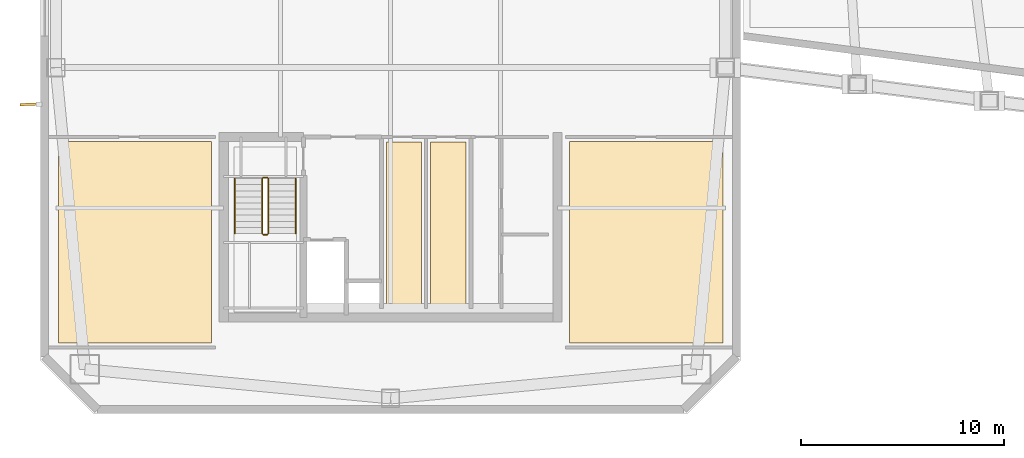
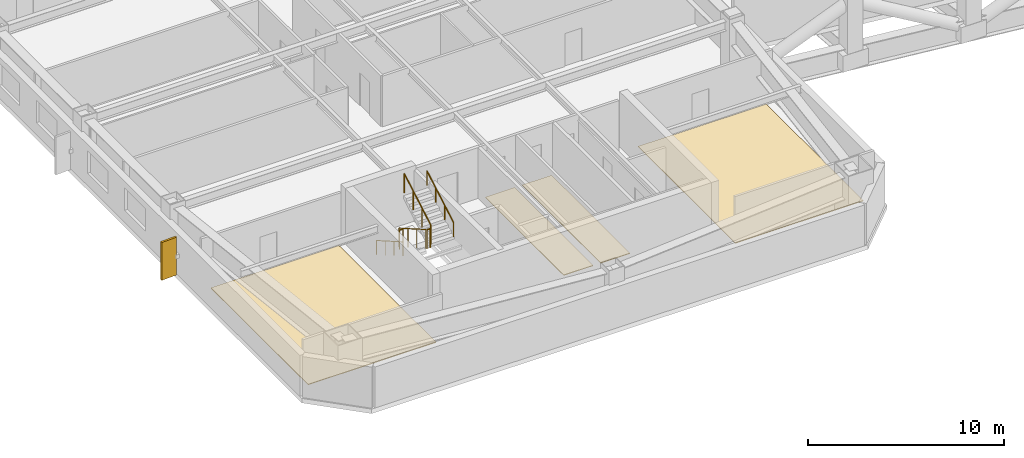
# One storey, part 14 of 19: 6 railings, 4 coverings, 1 shading device.
"""IFC4 building model written with IfcOpenShell, lengths in metres."""

import ifcopenshell
import ifcopenshell.guid

model = None  # the IFC model being written
_history = None  # IfcOwnerHistory: only IFC2X3 demands one
_inside = {}  # id of a spatial element -> (the spatial element, [elements in it])
_under = {}  # id of a project, library or spatial element -> (it, [spatial elements below it])
_declared = {}  # id of a project -> (the project, [libraries it declares])
_typed = {}  # id of a type object -> (the type object, [elements of that type])
_made_of = {}  # id of a material, layer set ... -> (it, [elements and type objects made of it])


def new_model(schema):
    """Start an empty IFC model of exactly this schema.

    Asked for "IFC4X3", IfcOpenShell would pick the latest addendum, in which some entities
    have other attributes; the version numbers below select the first issue.
    IFC2X3 requires an IfcOwnerHistory on every rooted entity: one is made here for all.
    """
    global model, _history
    if schema == "IFC4X3":
        model = ifcopenshell.file(schema_version=(4, 3, 0, 0))
    else:
        model = ifcopenshell.file(schema=schema)
    _inside.clear()
    _under.clear()
    _declared.clear()
    _typed.clear()
    _made_of.clear()
    _history = None
    if model.schema == "IFC2X3":
        org = make("IfcOrganization", Name="unknown")
        user = make(
            "IfcPersonAndOrganization",
            ThePerson=make("IfcPerson", FamilyName="unknown"),
            TheOrganization=org,
        )
        app = make(
            "IfcApplication",
            ApplicationDeveloper=org,
            Version="unknown",
            ApplicationFullName="unknown",
            ApplicationIdentifier="unknown",
        )
        _history = make(
            "IfcOwnerHistory",
            OwningUser=user,
            OwningApplication=app,
            ChangeAction="ADDED",
            CreationDate=0,
        )
    return model


def make(cls, **values):
    """One entity of the class cls with the attributes given. An attribute that is None is left unset."""
    return model.create_entity(
        cls, **{name: value for name, value in values.items() if value is not None}
    )


def rooted(cls, **values):
    """An entity with a GlobalId (a new one), such as an element, a storey or a relation."""
    return make(cls, GlobalId=ifcopenshell.guid.new(), OwnerHistory=_history, **values)


def si_unit(unit_type, name, prefix=None):
    """IfcSIUnit, for example si_unit("LENGTHUNIT", "METRE", prefix="MILLI")."""
    return make("IfcSIUnit", UnitType=unit_type, Prefix=prefix, Name=name)


def assignment(units):
    """IfcUnitAssignment: the units of a project."""
    return None if units is None else make("IfcUnitAssignment", Units=units)


def point(xyz):
    """IfcCartesianPoint."""
    return None if xyz is None else make("IfcCartesianPoint", Coordinates=xyz)


def direction(xyz):
    """IfcDirection."""
    return None if xyz is None else make("IfcDirection", DirectionRatios=xyz)


def frame(location, z_axis=None, x_axis=None):
    """IfcAxis2Placement3D, a coordinate frame: its origin and axes. An axis left out is left unset."""
    return make(
        "IfcAxis2Placement3D",
        Location=point(location),
        Axis=direction(z_axis),
        RefDirection=direction(x_axis),
    )


def frame_2d(location, x_axis=None):
    """IfcAxis2Placement2D, a coordinate frame in the plane: its origin and x axis."""
    return make(
        "IfcAxis2Placement2D", Location=point(location), RefDirection=direction(x_axis)
    )


def origin():
    """The frame at (0, 0, 0) with its axes left unset."""
    return frame((0.0, 0.0, 0.0))


def origin_2d():
    """The frame at (0, 0) in the plane with its x axis left unset."""
    return frame_2d((0.0, 0.0))


def place(relative_to, where):
    """IfcLocalPlacement: puts the frame where relative to a parent placement (None: the world)."""
    return make(
        "IfcLocalPlacement", PlacementRelTo=relative_to, RelativePlacement=where
    )


def context(
    kind, dimensions, precision=None, world=None, true_north=None, identifier=None
):
    """IfcGeometricRepresentationContext, for example the 3D "Model" context."""
    return make(
        "IfcGeometricRepresentationContext",
        ContextIdentifier=identifier,
        ContextType=kind,
        CoordinateSpaceDimension=dimensions,
        Precision=precision,
        WorldCoordinateSystem=world,
        TrueNorth=true_north,
    )


def subcontext(parent, identifier, kind, view, scale=None):
    """IfcGeometricRepresentationSubContext, for example "Body" below "Model"."""
    return make(
        "IfcGeometricRepresentationSubContext",
        ContextIdentifier=identifier,
        ContextType=kind,
        ParentContext=parent,
        TargetScale=scale,
        TargetView=view,
    )


def project(units=None, contexts=None):
    """IfcProject with its units and contexts."""
    return rooted(
        "IfcProject",
        Name="project",
        RepresentationContexts=contexts,
        UnitsInContext=assignment(units),
    )


def spatial(cls, under=None, at=None, **own):
    """A site, building, storey or space (cls), placed at a placement, below another one or the project."""
    s = rooted(cls, ObjectPlacement=at, **own)
    if under is not None:
        _under.setdefault(under.id(), (under, []))[1].append(s)
    return s


def polyline(points):
    """IfcPolyline through the points."""
    return make("IfcPolyline", Points=[point(p) for p in points])


def profile(cls, at=None, kind="AREA", **sizes):
    """A parametric profile (cls). Its sizes go by their IFC names, for example OverallWidth=200.0."""
    return make(cls, ProfileType=kind, Position=at, **sizes)


def rectangle(**sizes):
    """IfcRectangleProfileDef."""
    return profile("IfcRectangleProfileDef", **sizes)


def circle(**sizes):
    """IfcCircleProfileDef."""
    return profile("IfcCircleProfileDef", **sizes)


def outline(outer, holes=None, kind="AREA"):
    """IfcArbitraryClosedProfileDef: a profile drawn as a closed curve; with holes, ...WithVoids."""
    if holes is None:
        return make("IfcArbitraryClosedProfileDef", ProfileType=kind, OuterCurve=outer)
    return make(
        "IfcArbitraryProfileDefWithVoids",
        ProfileType=kind,
        OuterCurve=outer,
        InnerCurves=holes,
    )


def extrude(swept, where, along, depth):
    """IfcExtrudedAreaSolid: the profile swept, set in the frame where, extruded along a direction by depth."""
    return make(
        "IfcExtrudedAreaSolid",
        SweptArea=swept,
        Position=where,
        ExtrudedDirection=direction(along),
        Depth=depth,
    )


def shape(context_of_items, identifier, shape_type, items):
    """IfcShapeRepresentation: the items that make up one representation, for example the "Body"."""
    return make(
        "IfcShapeRepresentation",
        ContextOfItems=context_of_items,
        RepresentationIdentifier=identifier,
        RepresentationType=shape_type,
        Items=items,
    )


def material(Name=None, Category=None):
    """IfcMaterial."""
    return make("IfcMaterial", Name=Name, Category=Category)


def layer(
    of_material, thickness, ventilated=None, Name=None, Category=None, Priority=None
):
    """IfcMaterialLayer: one layer of a wall or slab, of a material (None: an air gap)."""
    return make(
        "IfcMaterialLayer",
        Material=of_material,
        LayerThickness=thickness,
        IsVentilated=ventilated,
        Name=Name,
        Category=Category,
        Priority=Priority,
    )


def layer_set(layers, Name=None):
    """IfcMaterialLayerSet."""
    return make("IfcMaterialLayerSet", MaterialLayers=layers, LayerSetName=Name)


def made_of(thing, what):
    """Note that an element or type object is made of a material, layer set ...; save() writes the relation."""
    if what is not None:
        _made_of.setdefault(what.id(), (what, []))[1].append(thing)
    return thing


def type_object(cls, material=None, **own):
    """A type object (cls), such as IfcWallType, which elements share."""
    return made_of(rooted(cls, **own), material)


def element(
    cls,
    number,
    at=None,
    inside=None,
    cuts=None,
    type_object=None,
    material=None,
    context=None,
    identifier="Body",
    shape_type=None,
    held_by="IfcProductDefinitionShape",
    body=None,
    shapes=None,
    **own,
):
    """One element of the class cls, such as IfcWall. Its Tag is "e" and its number.

    at: its placement. inside: the storey or other place that contains it. cuts: it is an
    opening in that element (IfcRelVoidsElement). A single representation is given by context,
    identifier, shape_type and body (its items); several are given by shapes. held_by: the class
    of the entity that holds the representations. save() writes the other relations.
    """
    e = rooted(cls, Tag="e%d" % number, ObjectPlacement=at, **own)
    if body is not None:
        shapes = [shape(context, identifier, shape_type, body)]
    if shapes is not None:
        e.Representation = make(held_by, Representations=shapes)
    if inside is not None:
        _inside.setdefault(inside.id(), (inside, []))[1].append(e)
    if cuts is not None:
        rooted(
            "IfcRelVoidsElement", RelatingBuildingElement=cuts, RelatedOpeningElement=e
        )
    if type_object is not None:
        _typed.setdefault(type_object.id(), (type_object, []))[1].append(e)
    return made_of(e, material)


def aggregate(whole, parts):
    """IfcRelAggregates: a whole, such as a stair, and the parts it consists of."""
    return rooted("IfcRelAggregates", RelatingObject=whole, RelatedObjects=parts)


def save(model, path):
    """Write the relations noted so far, then the file.

    IfcRelAggregates (storeys below a building ...), IfcRelContainedInSpatialStructure (elements
    in a storey), IfcRelDefinesByType, IfcRelAssociatesMaterial and IfcRelDeclares: one each for
    every whole, place, type object, material and project.
    """
    for whole, parts in _under.values():
        aggregate(whole, parts)
    for where, things in _inside.values():
        rooted(
            "IfcRelContainedInSpatialStructure",
            RelatedElements=things,
            RelatingStructure=where,
        )
    for kind, things in _typed.values():
        rooted("IfcRelDefinesByType", RelatedObjects=things, RelatingType=kind)
    for what, things in _made_of.values():
        rooted("IfcRelAssociatesMaterial", RelatedObjects=things, RelatingMaterial=what)
    for by, libraries in _declared.values():
        rooted("IfcRelDeclares", RelatingContext=by, RelatedDefinitions=libraries)
    model.write(path)


model = new_model("IFC4")

# Units and contexts
model_context = context("Model", 3, precision=1e-05, world=origin(), true_north=direction((0.0, 1.0)))
body_context = subcontext(model_context, "Body", "Model", "MODEL_VIEW")
ifc_project = project(units=[si_unit("LENGTHUNIT", "METRE"), si_unit("AREAUNIT", "SQUARE_METRE"), si_unit("VOLUMEUNIT", "CUBIC_METRE"), si_unit("PLANEANGLEUNIT", "RADIAN"), si_unit("MASSUNIT", "GRAM", prefix="KILO")], contexts=[model_context])

# Site, building, storey
site_placement = place(None, origin())
site = spatial("IfcSite", under=ifc_project, at=site_placement, CompositionType="ELEMENT")
building_placement = place(site_placement, origin())
building = spatial("IfcBuilding", under=site, at=building_placement, Name="Qiaolan Cultural Towers", CompositionType="ELEMENT")
storey_placement = place(building_placement, frame((0.0, 0.0, 216.199951171875)))
storey = spatial("IfcBuildingStorey", under=building, at=storey_placement, Name="L58", CompositionType="ELEMENT", Elevation=216.199951171875)

# Coverings
ifc_material_1 = material(Name="Honed Terrazzo & Raised Access Flooring", Category="concrete")
ifc_layer_1 = layer(ifc_material_1, 0.0400390625)
ifc_layer_set_1 = layer_set([ifc_layer_1], Name="Honed Terrazzo & Raised Access Flooring")
covering_type = type_object("IfcCoveringType", Name="COV-FLR-STONE", PredefinedType="FLOORING", material=ifc_layer_set_1)
covering_1_placement = place(storey_placement, origin())
element("IfcCovering", 1, at=covering_1_placement, inside=storey, type_object=covering_type, Name="L58 Document Print and Copy Room Finish Flooring", PredefinedType="FLOORING", context=body_context, shape_type="SweptSolid", body=[
    extrude(outline(polyline([(31.530029296875, 13.3701171875), (31.530029296875, 21.360107421875), (29.800048828125, 21.360107421875), (29.800048828125, 13.3701171875), (31.530029296875, 13.3701171875)])), origin(), (0.0, 0.0, 1.0), 0.0400390625),
])
covering_2_placement = place(storey_placement, origin())
element("IfcCovering", 2, at=covering_2_placement, inside=storey, type_object=covering_type, Name="L58 Staff Tea Pantry Finish Flooring", PredefinedType="FLOORING", context=body_context, shape_type="SweptSolid", body=[
    extrude(outline(polyline([(33.699951171875, 13.3701171875), (33.699951171875, 21.360107421875), (31.969970703125, 21.360107421875), (31.969970703125, 13.3701171875), (33.699951171875, 13.3701171875)])), origin(), (0.0, 0.0, 1.0), 0.0400390625),
])
covering_3_placement = place(storey_placement, origin())
element("IfcCovering", 3, at=covering_3_placement, inside=storey, type_object=covering_type, Name="L58 Corner Sky Park Cultural Salon Finish Flooring", PredefinedType="FLOORING", context=body_context, shape_type="SweptSolid", body=[
    extrude(outline(polyline([(21.199951171875, 11.469970703125), (21.199951171875, 21.3798828125), (13.669921875, 21.3798828125), (13.669921875, 11.469970703125), (21.199951171875, 11.469970703125)])), origin(), (0.0, 0.0, 1.0), 0.0400390625),
])
covering_4_placement = place(storey_placement, origin())
element("IfcCovering", 4, at=covering_4_placement, inside=storey, type_object=covering_type, Name="L58 Corner Botanical Lounge Finish Flooring", PredefinedType="FLOORING", context=body_context, shape_type="SweptSolid", body=[
    extrude(outline(polyline([(46.330078125, 11.469970703125), (46.330078125, 21.3798828125), (38.800048828125, 21.3798828125), (38.800048828125, 11.469970703125), (46.330078125, 11.469970703125)])), origin(), (0.0, 0.0, 1.0), 0.0400390625),
])

# Railings
ifc_material_2 = material(Name="Galvanized Painted Steel Stair Guardrail", Category="steel")
railing_type_1 = type_object("IfcRailingType", Name="RL-STAIR-GRD", PredefinedType="GUARDRAIL", material=ifc_material_2)
railing_1_placement = place(storey_placement, frame((23.68994140625, 19.550048828125, 0.172607421875)))
element("IfcRailing", 5, at=railing_1_placement, inside=storey, type_object=railing_type_1, Name="L58 ST-W1 stair guard 1", PredefinedType="GUARDRAIL", context=body_context, shape_type="SweptSolid", body=[
    extrude(circle(Radius=0.02392578125, at=origin_2d()), frame((0.0, 0.0, 1.17578125), z_axis=(0.0, -0.866903762492, 0.498475542607), x_axis=(1.0, 0.0, 0.0)), (0.0, 0.0, 1.0), 3.114501953125),
    extrude(circle(Radius=0.02099609375, at=origin_2d()), origin(), (0.0, 0.0, 1.0), 1.15185546875),
    extrude(circle(Radius=0.02099609375, at=origin_2d()), frame((0.0, -0.89990234375, 0.517578125)), (0.0, 0.0, 1.0), 1.15185546875),
    extrude(circle(Radius=0.02099609375, at=origin_2d()), frame((0.0, -1.800048828125, 1.034912109375)), (0.0, 0.0, 1.0), 1.15185546875),
    extrude(circle(Radius=0.02099609375, at=origin_2d()), frame((0.0, -2.699951171875, 1.552490234375)), (0.0, 0.0, 1.0), 1.15185546875),
])
railing_2_placement = place(storey_placement, frame((23.739990234375, 16.800048828125, 1.72509765625)))
element("IfcRailing", 6, at=railing_2_placement, inside=storey, type_object=railing_type_1, Name="L58 ST-W1 stair guard 2", PredefinedType="GUARDRAIL", context=body_context, shape_type="SweptSolid", body=[
    extrude(circle(Radius=0.02392578125, at=origin_2d()), frame((0.0, 0.0, 1.17578125), z_axis=(1.0, 0.0, 0.0), x_axis=(0.0, 1.0, 0.0)), (0.0, 0.0, 1.0), 0.199951171875),
    extrude(circle(Radius=0.02099609375, at=origin_2d()), origin(), (0.0, 0.0, 1.0), 1.15185546875),
    extrude(circle(Radius=0.02099609375, at=origin_2d()), frame((0.199951171875, 0.0, 0.0)), (0.0, 0.0, 1.0), 1.15185546875),
])
railing_3_placement = place(storey_placement, frame((23.989990234375, 16.85009765625, 1.8974609375)))
element("IfcRailing", 7, at=railing_3_placement, inside=storey, type_object=railing_type_1, Name="L58 ST-W1 stair guard 3", PredefinedType="GUARDRAIL", context=body_context, shape_type="SweptSolid", body=[
    extrude(circle(Radius=0.02392578125, at=origin_2d()), frame((0.0, 0.0, 1.17578125), z_axis=(0.0, 0.866903762492, 0.498475542607), x_axis=(-1.0, 0.0, 0.0)), (0.0, 0.0, 1.0), 3.114501953125),
    extrude(circle(Radius=0.02099609375, at=origin_2d()), origin(), (0.0, 0.0, 1.0), 1.15185546875),
    extrude(circle(Radius=0.02099609375, at=origin_2d()), frame((0.0, 0.89990234375, 0.517578125)), (0.0, 0.0, 1.0), 1.15185546875),
    extrude(circle(Radius=0.02099609375, at=origin_2d()), frame((0.0, 1.800048828125, 1.034912109375)), (0.0, 0.0, 1.0), 1.15185546875),
    extrude(circle(Radius=0.02099609375, at=origin_2d()), frame((0.0, 2.699951171875, 1.552490234375)), (0.0, 0.0, 1.0), 1.15185546875),
])
railing_4_placement = place(storey_placement, frame((23.739990234375, 19.60009765625, 0.0)))
element("IfcRailing", 8, at=railing_4_placement, inside=storey, type_object=railing_type_1, Name="L58 ST-W1 stair guard 4", PredefinedType="GUARDRAIL", context=body_context, shape_type="SweptSolid", body=[
    extrude(circle(Radius=0.02392578125, at=origin_2d()), frame((0.0, 0.0, 1.17578125), z_axis=(1.0, 0.0, 0.0), x_axis=(0.0, 1.0, 0.0)), (0.0, 0.0, 1.0), 0.199951171875),
    extrude(circle(Radius=0.02099609375, at=origin_2d()), origin(), (0.0, 0.0, 1.0), 1.15185546875),
    extrude(circle(Radius=0.02099609375, at=origin_2d()), frame((0.199951171875, 0.0, 0.0)), (0.0, 0.0, 1.0), 1.15185546875),
])
ifc_material_3 = material(Name="Stainless Steel S30408 Tubular Handrail", Category="steel")
railing_type_2 = type_object("IfcRailingType", Name="RL-STAIR-HR", PredefinedType="HANDRAIL", material=ifc_material_3)
railing_5_placement = place(storey_placement, frame((22.35009765625, 19.550048828125, 0.172607421875)))
element("IfcRailing", 9, at=railing_5_placement, inside=storey, type_object=railing_type_2, Name="L58 ST-W1 stair handrail 1", PredefinedType="HANDRAIL", context=body_context, shape_type="SweptSolid", body=[
    extrude(circle(Radius=0.02392578125, at=origin_2d()), frame((0.0, 0.0, 0.8759765625), z_axis=(0.0, -0.866903762492, 0.498475542607), x_axis=(1.0, 0.0, 0.0)), (0.0, 0.0, 1.0), 3.114501953125),
    extrude(circle(Radius=0.02099609375, at=origin_2d()), origin(), (0.0, 0.0, 1.0), 0.851806640625),
    extrude(circle(Radius=0.02099609375, at=origin_2d()), frame((0.0, -0.89990234375, 0.517578125)), (0.0, 0.0, 1.0), 0.851806640625),
    extrude(circle(Radius=0.02099609375, at=origin_2d()), frame((0.0, -1.800048828125, 1.034912109375)), (0.0, 0.0, 1.0), 0.851806640625),
    extrude(circle(Radius=0.02099609375, at=origin_2d()), frame((0.0, -2.699951171875, 1.552490234375)), (0.0, 0.0, 1.0), 0.851806640625),
])
railing_6_placement = place(storey_placement, frame((25.330078125, 16.85009765625, 1.8974609375)))
element("IfcRailing", 10, at=railing_6_placement, inside=storey, type_object=railing_type_2, Name="L58 ST-W1 stair handrail 2", PredefinedType="HANDRAIL", context=body_context, shape_type="SweptSolid", body=[
    extrude(circle(Radius=0.02392578125, at=origin_2d()), frame((0.0, 0.0, 0.8759765625), z_axis=(0.0, 0.866903762492, 0.498475542607), x_axis=(-1.0, 0.0, 0.0)), (0.0, 0.0, 1.0), 3.114501953125),
    extrude(circle(Radius=0.02099609375, at=origin_2d()), origin(), (0.0, 0.0, 1.0), 0.851806640625),
    extrude(circle(Radius=0.02099609375, at=origin_2d()), frame((0.0, 0.89990234375, 0.517578125)), (0.0, 0.0, 1.0), 0.851806640625),
    extrude(circle(Radius=0.02099609375, at=origin_2d()), frame((0.0, 1.800048828125, 1.034912109375)), (0.0, 0.0, 1.0), 0.851806640625),
    extrude(circle(Radius=0.02099609375, at=origin_2d()), frame((0.0, 2.699951171875, 1.552490234375)), (0.0, 0.0, 1.0), 0.851806640625),
])

# Shading device
ifc_material_4 = material(Name="Light Limestone Precast Vertical Fin", Category="masonry")
ifc_layer_2 = layer(ifc_material_4, 0.1201171875)
ifc_layer_set_2 = layer_set([ifc_layer_2], Name="Light Limestone Precast Vertical Fin")
shading_device_type = type_object("IfcShadingDeviceType", Name="SHD-FIN-WHITE", PredefinedType="USERDEFINED", material=ifc_layer_set_2)
shading_device_placement = place(storey_placement, frame((12.239990234375, 23.199951171875, 0.10009765625), z_axis=(0.0, 0.0, 1.0), x_axis=(0.998966827039, 0.045445335018, 0.0)))
element("IfcShadingDevice", 11, at=shading_device_placement, inside=storey, type_object=shading_device_type, Name="L58 T1 Expressive Precast Vertical Fin W1", ObjectType="FIN", PredefinedType="USERDEFINED", context=body_context, shape_type="SweptSolid", body=[
    extrude(rectangle(XDim=0.89990234375, YDim=0.1201171875, at=origin_2d()), origin(), (0.0, 0.0, 1.0), 2.35009765625),
])

save(model, "model.ifc")
